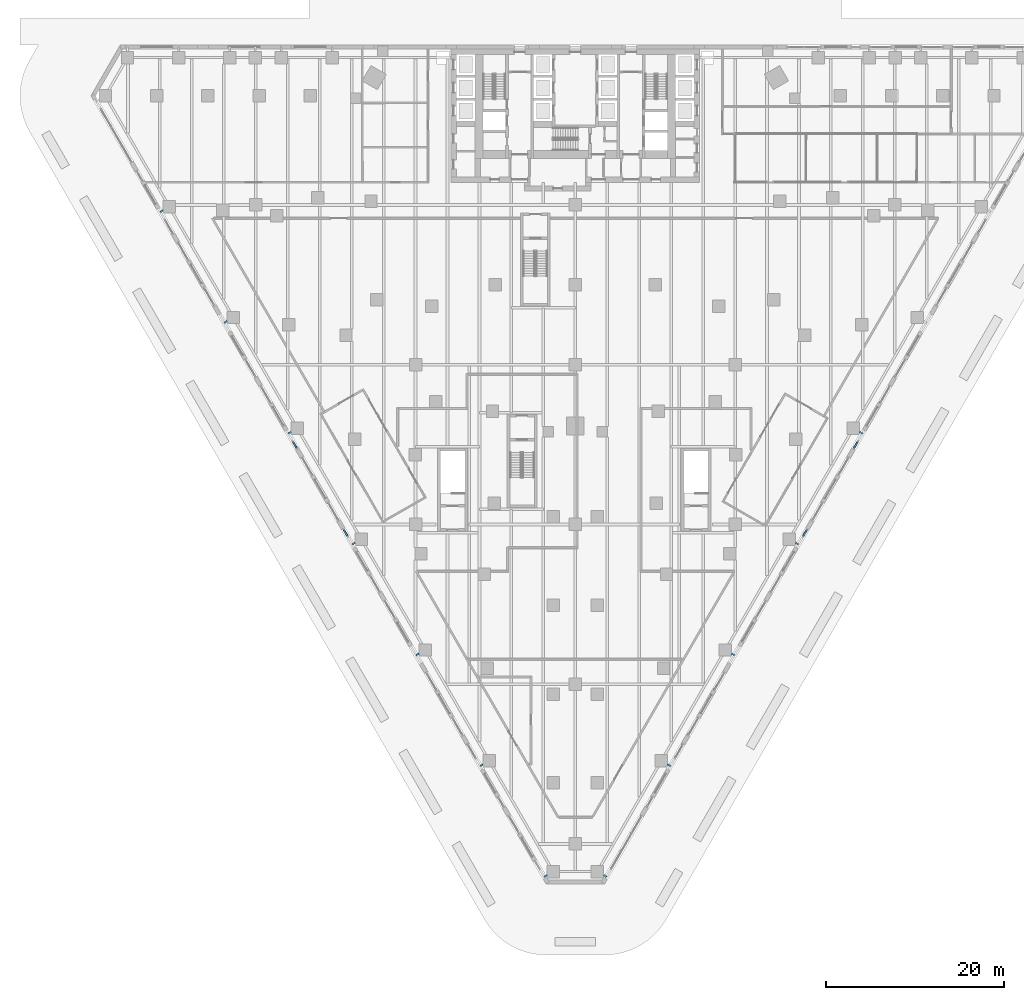
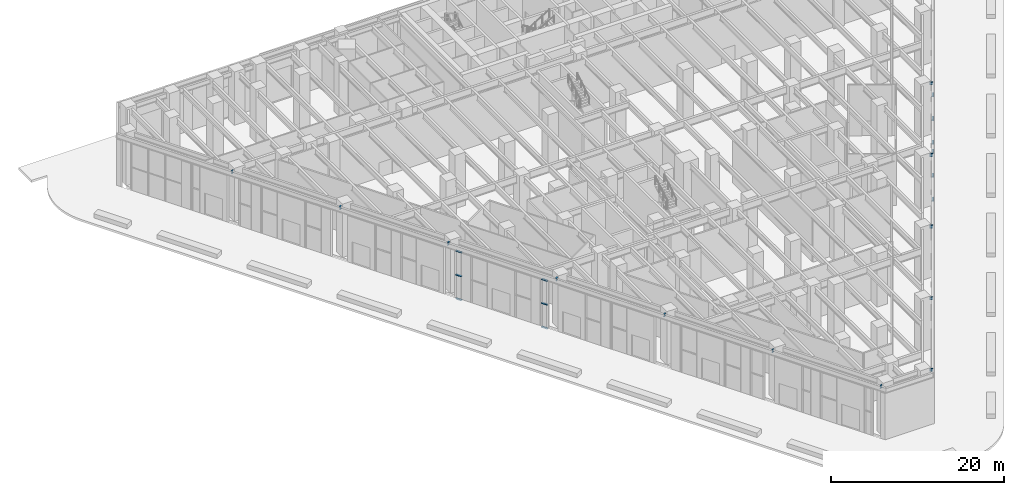
# One storey, part 17 of 37: 12 beams, 12 members, 4 elements without a shape of their own.
"""IFC4 building model written with IfcOpenShell, lengths in metres."""

from ifc_helpers import new_model, si_unit, direction, frame, origin, origin_2d, place, context, subcontext, project, spatial, rectangle, i_section, extrude, material, material_profile, profile_set, type_object, element, aggregate, save


model = new_model("IFC4")

# Units and contexts
model_context = context("Model", 3, precision=1e-05, world=origin(), true_north=direction((0.0, 1.0)))
body_context = subcontext(model_context, "Body", "Model", "MODEL_VIEW")
ifc_project = project(units=[si_unit("LENGTHUNIT", "METRE"), si_unit("AREAUNIT", "SQUARE_METRE"), si_unit("VOLUMEUNIT", "CUBIC_METRE"), si_unit("PLANEANGLEUNIT", "RADIAN"), si_unit("MASSUNIT", "GRAM", prefix="KILO")], contexts=[model_context])

# Site, building, storey
site_placement = place(None, origin())
site = spatial("IfcSite", under=ifc_project, at=site_placement, CompositionType="ELEMENT")
building_placement = place(site_placement, origin())
building = spatial("IfcBuilding", under=site, at=building_placement, Name="Aloe Facet Convention Tower", CompositionType="ELEMENT")
storey_placement = place(building_placement, origin())
storey = spatial("IfcBuildingStorey", under=building, at=storey_placement, Name="L00", CompositionType="ELEMENT", Elevation=0.0)

# Beams
ifc_material_1 = material(Name="Steel S355", Category="steel")
ifc_material_profile_1 = material_profile(ifc_material_1, i_section(OverallWidth=0.177734375, OverallDepth=0.402587890625, WebThickness=0.0078125, FlangeThickness=0.010986328125, FilletRadius=0.01025390625, at=origin_2d()), Name="UB 406x178x54")
ifc_profile_set_1 = profile_set([ifc_material_profile_1], Name="Steel S355")
beam_type = type_object("IfcBeamType", Name="EV-BR-UB406x178x54", PredefinedType="BEAM", material=ifc_profile_set_1)
beam_1_placement = place(storey_placement, frame((33.55810546875, 116.39501953125, 6.998779296875), z_axis=(-0.865820295338, -0.500355090092, 0.0), x_axis=(0.500355090092, -0.865820295338, 0.0)))
element("IfcBeam", 1, at=beam_1_placement, inside=storey, type_object=beam_type, Name="EB-L01-W-BR02", PredefinedType="BEAM", context=body_context, shape_type="SweptSolid", body=[
    extrude(i_section(OverallWidth=0.177734375, OverallDepth=0.402587890625, WebThickness=0.0078125, FlangeThickness=0.010986328125, FilletRadius=0.01025390625, at=origin_2d()), origin(), (0.0, 0.0, 1.0), 0.367431640625),
])
beam_2_placement = place(storey_placement, frame((40.76611328125, 103.908935546875, 6.998779296875), z_axis=(-0.866063652425, -0.499933745558, 0.0), x_axis=(0.499933745558, -0.866063652425, 0.0)))
element("IfcBeam", 2, at=beam_2_placement, inside=storey, type_object=beam_type, Name="EB-L01-W-BR03", PredefinedType="BEAM", context=body_context, shape_type="SweptSolid", body=[
    extrude(i_section(OverallWidth=0.177734375, OverallDepth=0.402587890625, WebThickness=0.0078125, FlangeThickness=0.010986328125, FilletRadius=0.01025390625, at=origin_2d()), origin(), (0.0, 0.0, 1.0), 0.36669921875),
])
beam_3_placement = place(storey_placement, frame((47.97412109375, 91.423828125, 6.998779296875), z_axis=(-0.866185586049, -0.49972245349, 0.0), x_axis=(0.49972245349, -0.866185586049, 0.0)))
element("IfcBeam", 3, at=beam_3_placement, inside=storey, type_object=beam_type, Name="EB-L01-W-BR04", PredefinedType="BEAM", context=body_context, shape_type="SweptSolid", body=[
    extrude(i_section(OverallWidth=0.177734375, OverallDepth=0.402587890625, WebThickness=0.0078125, FlangeThickness=0.010986328125, FilletRadius=0.01025390625, at=origin_2d()), origin(), (0.0, 0.0, 1.0), 0.366455078125),
])
beam_4_placement = place(storey_placement, frame((55.18310546875, 78.93896484375, 6.998779296875), z_axis=(-0.865941888956, -0.500144624036, 0.0), x_axis=(0.500144624036, -0.865941888956, 0.0)))
element("IfcBeam", 4, at=beam_4_placement, inside=storey, type_object=beam_type, Name="EB-L01-W-BR05", PredefinedType="BEAM", context=body_context, shape_type="SweptSolid", body=[
    extrude(i_section(OverallWidth=0.177734375, OverallDepth=0.402587890625, WebThickness=0.0078125, FlangeThickness=0.010986328125, FilletRadius=0.01025390625, at=origin_2d()), origin(), (0.0, 0.0, 1.0), 0.3671875),
])
beam_5_placement = place(storey_placement, frame((62.39111328125, 66.452880859375, 6.998779296875), z_axis=(-0.866185586049, -0.49972245349, 0.0), x_axis=(0.49972245349, -0.866185586049, 0.0)))
element("IfcBeam", 5, at=beam_5_placement, inside=storey, type_object=beam_type, Name="EB-L01-W-BR06", PredefinedType="BEAM", context=body_context, shape_type="SweptSolid", body=[
    extrude(i_section(OverallWidth=0.177734375, OverallDepth=0.402587890625, WebThickness=0.0078125, FlangeThickness=0.010986328125, FilletRadius=0.01025390625, at=origin_2d()), origin(), (0.0, 0.0, 1.0), 0.366455078125),
])
beam_6_placement = place(storey_placement, frame((69.60009765625, 53.968017578125, 6.998779296875), z_axis=(-0.865941888956, -0.500144624036, 0.0), x_axis=(0.500144624036, -0.865941888956, 0.0)))
element("IfcBeam", 6, at=beam_6_placement, inside=storey, type_object=beam_type, Name="EB-L01-W-BR07", PredefinedType="BEAM", context=body_context, shape_type="SweptSolid", body=[
    extrude(i_section(OverallWidth=0.177734375, OverallDepth=0.402587890625, WebThickness=0.0078125, FlangeThickness=0.010986328125, FilletRadius=0.01025390625, at=origin_2d()), origin(), (0.0, 0.0, 1.0), 0.3671875),
])
beam_7_placement = place(storey_placement, frame((76.80810546875, 41.48193359375, 6.998779296875), z_axis=(-0.865897129857, -0.500222111171, 0.0), x_axis=(0.500222111171, -0.865897129857, 0.0)))
element("IfcBeam", 7, at=beam_7_placement, inside=storey, type_object=beam_type, Name="EB-L01-W-BR08", PredefinedType="BEAM", context=body_context, shape_type="SweptSolid", body=[
    extrude(i_section(OverallWidth=0.177734375, OverallDepth=0.402587890625, WebThickness=0.0078125, FlangeThickness=0.010986328125, FilletRadius=0.01025390625, at=origin_2d()), origin(), (0.0, 0.0, 1.0), 0.366455078125),
])
beam_8_placement = place(storey_placement, frame((104.81689453125, 78.93896484375, 6.998779296875), z_axis=(0.865941888956, -0.500144624036, 0.0), x_axis=(0.500144624036, 0.865941888956, 0.0)))
element("IfcBeam", 8, at=beam_8_placement, inside=storey, type_object=beam_type, Name="EB-L01-E-BR01", PredefinedType="BEAM", context=body_context, shape_type="SweptSolid", body=[
    extrude(i_section(OverallWidth=0.177734375, OverallDepth=0.402587890625, WebThickness=0.0078125, FlangeThickness=0.010986328125, FilletRadius=0.01025390625, at=origin_2d()), origin(), (0.0, 0.0, 1.0), 0.3671875),
])
for number, where, z_axis, x_axis, name in (
    (9, (112.02587890625, 91.423828125, 6.998779296875), (0.866185586049, -0.49972245349, 0.0), (0.49972245349, 0.866185586049, 0.0), "EB-L01-E-BR02"),
    (10, (83.19189453125, 41.48193359375, 6.998779296875), (0.865897129857, -0.500222111171, 0.0), (0.500222111171, 0.865897129857, 0.0), "EB-L01-E-BR06"),
):
    element("IfcBeam", number, at=place(storey_placement, frame(where, z_axis=z_axis, x_axis=x_axis)), inside=storey, type_object=beam_type, Name=name, PredefinedType="BEAM", context=body_context, shape_type="SweptSolid", body=[
        extrude(i_section(OverallWidth=0.177734375, OverallDepth=0.402587890625, WebThickness=0.0078125, FlangeThickness=0.010986328125, FilletRadius=0.01025390625, at=origin_2d()), origin(), (0.0, 0.0, 1.0), 0.366455078125),
    ])
beam_9_placement = place(storey_placement, frame((90.39990234375, 53.968017578125, 6.998779296875), z_axis=(0.865941888956, -0.500144624036, 0.0), x_axis=(0.500144624036, 0.865941888956, 0.0)))
element("IfcBeam", 11, at=beam_9_placement, inside=storey, type_object=beam_type, Name="EB-L01-E-BR07", PredefinedType="BEAM", context=body_context, shape_type="SweptSolid", body=[
    extrude(i_section(OverallWidth=0.177734375, OverallDepth=0.402587890625, WebThickness=0.0078125, FlangeThickness=0.010986328125, FilletRadius=0.01025390625, at=origin_2d()), origin(), (0.0, 0.0, 1.0), 0.3671875),
])
beam_10_placement = place(storey_placement, frame((97.60888671875, 66.452880859375, 6.998779296875), z_axis=(0.866185586049, -0.49972245349, 0.0), x_axis=(0.49972245349, 0.866185586049, 0.0)))
element("IfcBeam", 12, at=beam_10_placement, inside=storey, type_object=beam_type, Name="EB-L01-E-BR08", PredefinedType="BEAM", context=body_context, shape_type="SweptSolid", body=[
    extrude(i_section(OverallWidth=0.177734375, OverallDepth=0.402587890625, WebThickness=0.0078125, FlangeThickness=0.010986328125, FilletRadius=0.01025390625, at=origin_2d()), origin(), (0.0, 0.0, 1.0), 0.366455078125),
])

# Curtain wall, members
ifc_material_2 = material(Name="Aluminium, anodised", Category="aluminium")
curtain_wall_type = type_object("IfcCurtainWallType", Name="EV-CW-PORTAL", PredefinedType="USERDEFINED", material=ifc_material_2)
curtain_wall_1_placement = place(storey_placement, origin())
curtain_wall_1 = element("IfcCurtainWall", 13, at=curtain_wall_1_placement, inside=storey, type_object=curtain_wall_type, Name="CW-L00-W10B", ObjectType="ENTRANCE PORTAL GLAZING", PredefinedType="USERDEFINED")
ifc_material_3 = material(Name="Aluminium, anodised", Category="aluminium")
ifc_material_profile_2 = material_profile(ifc_material_3, rectangle(XDim=0.199951171875, YDim=0.080078125, at=origin_2d()), Name="AL 200x80")
ifc_profile_set_2 = profile_set([ifc_material_profile_2], Name="Aluminium, anodised")
member_type = type_object("IfcMemberType", Name="EV-TRAN-PORTAL", PredefinedType="USERDEFINED", material=ifc_profile_set_2)
member_1_placement = place(storey_placement, frame((48.208984375, 90.2841796875, -0.260009765625), z_axis=(0.500128417272, -0.865951249342, 0.0), x_axis=(0.865951249342, 0.500128417272, 0.0)))
member_1 = element("IfcMember", 14, at=member_1_placement, type_object=member_type, Name="CW-L00-W10B transom 1.1", ObjectType="TRANSOM", PredefinedType="USERDEFINED", context=body_context, shape_type="SweptSolid", body=[
    extrude(rectangle(XDim=0.199951171875, YDim=0.080078125, at=origin_2d()), origin(), (0.0, 0.0, 1.0), 0.763427734375),
])
member_2_placement = place(storey_placement, frame((48.208984375, 90.2841796875, 3.106201171875), z_axis=(0.500128417272, -0.865951249342, 0.0), x_axis=(0.865951249342, 0.500128417272, 0.0)))
member_2 = element("IfcMember", 15, at=member_2_placement, type_object=member_type, Name="CW-L00-W10B transom 1.2", ObjectType="TRANSOM", PredefinedType="USERDEFINED", context=body_context, shape_type="SweptSolid", body=[
    extrude(rectangle(XDim=0.199951171875, YDim=0.080078125, at=origin_2d()), origin(), (0.0, 0.0, 1.0), 0.763427734375),
])
member_3_placement = place(storey_placement, frame((48.208984375, 90.2841796875, 6.472412109375), z_axis=(0.500128417272, -0.865951249342, 0.0), x_axis=(0.865951249342, 0.500128417272, 0.0)))
member_3 = element("IfcMember", 16, at=member_3_placement, type_object=member_type, Name="CW-L00-W10B transom 1.3", ObjectType="TRANSOM", PredefinedType="USERDEFINED", context=body_context, shape_type="SweptSolid", body=[
    extrude(rectangle(XDim=0.199951171875, YDim=0.080078125, at=origin_2d()), origin(), (0.0, 0.0, 1.0), 0.763427734375),
])
aggregate(curtain_wall_1, [member_1, member_2, member_3])

curtain_wall_2_placement = place(storey_placement, origin())
curtain_wall_2 = element("IfcCurtainWall", 17, at=curtain_wall_2_placement, inside=storey, type_object=curtain_wall_type, Name="CW-L00-W14A", ObjectType="ENTRANCE PORTAL GLAZING", PredefinedType="USERDEFINED")
member_4_placement = place(storey_placement, frame((53.931396484375, 80.37255859375, -0.260009765625), z_axis=(0.500165633897, -0.865929753888, 0.0), x_axis=(0.865929753888, 0.500165633897, 0.0)))
member_4 = element("IfcMember", 18, at=member_4_placement, type_object=member_type, Name="CW-L00-W14A transom 1.1", ObjectType="TRANSOM", PredefinedType="USERDEFINED", context=body_context, shape_type="SweptSolid", body=[
    extrude(rectangle(XDim=0.199951171875, YDim=0.080078125, at=origin_2d()), origin(), (0.0, 0.0, 1.0), 0.762939453125),
])
member_5_placement = place(storey_placement, frame((53.931396484375, 80.37255859375, 3.106201171875), z_axis=(0.500165633897, -0.865929753888, 0.0), x_axis=(0.865929753888, 0.500165633897, 0.0)))
member_5 = element("IfcMember", 19, at=member_5_placement, type_object=member_type, Name="CW-L00-W14A transom 1.2", ObjectType="TRANSOM", PredefinedType="USERDEFINED", context=body_context, shape_type="SweptSolid", body=[
    extrude(rectangle(XDim=0.199951171875, YDim=0.080078125, at=origin_2d()), origin(), (0.0, 0.0, 1.0), 0.762939453125),
])
member_6_placement = place(storey_placement, frame((53.931396484375, 80.37255859375, 6.472412109375), z_axis=(0.500165633897, -0.865929753888, 0.0), x_axis=(0.865929753888, 0.500165633897, 0.0)))
member_6 = element("IfcMember", 20, at=member_6_placement, type_object=member_type, Name="CW-L00-W14A transom 1.3", ObjectType="TRANSOM", PredefinedType="USERDEFINED", context=body_context, shape_type="SweptSolid", body=[
    extrude(rectangle(XDim=0.199951171875, YDim=0.080078125, at=origin_2d()), origin(), (0.0, 0.0, 1.0), 0.762939453125),
])
aggregate(curtain_wall_2, [member_4, member_5, member_6])

curtain_wall_3_placement = place(storey_placement, origin())
curtain_wall_3 = element("IfcCurtainWall", 21, at=curtain_wall_3_placement, inside=storey, type_object=curtain_wall_type, Name="CW-L00-E10B", ObjectType="ENTRANCE PORTAL GLAZING", PredefinedType="USERDEFINED")
member_7_placement = place(storey_placement, frame((105.68701171875, 79.7119140625, -0.260009765625), z_axis=(0.500165633897, 0.865929753888, 0.0), x_axis=(-0.865929753888, 0.500165633897, 0.0)))
member_7 = element("IfcMember", 22, at=member_7_placement, type_object=member_type, Name="CW-L00-E10B transom 1.1", ObjectType="TRANSOM", PredefinedType="USERDEFINED", context=body_context, shape_type="SweptSolid", body=[
    extrude(rectangle(XDim=0.199951171875, YDim=0.080078125, at=origin_2d()), origin(), (0.0, 0.0, 1.0), 0.762939453125),
])
member_8_placement = place(storey_placement, frame((105.68701171875, 79.7119140625, 3.106201171875), z_axis=(0.500165633897, 0.865929753888, 0.0), x_axis=(-0.865929753888, 0.500165633897, 0.0)))
member_8 = element("IfcMember", 23, at=member_8_placement, type_object=member_type, Name="CW-L00-E10B transom 1.2", ObjectType="TRANSOM", PredefinedType="USERDEFINED", context=body_context, shape_type="SweptSolid", body=[
    extrude(rectangle(XDim=0.199951171875, YDim=0.080078125, at=origin_2d()), origin(), (0.0, 0.0, 1.0), 0.762939453125),
])
member_9_placement = place(storey_placement, frame((105.68701171875, 79.7119140625, 6.472412109375), z_axis=(0.500165633897, 0.865929753888, 0.0), x_axis=(-0.865929753888, 0.500165633897, 0.0)))
member_9 = element("IfcMember", 24, at=member_9_placement, type_object=member_type, Name="CW-L00-E10B transom 1.3", ObjectType="TRANSOM", PredefinedType="USERDEFINED", context=body_context, shape_type="SweptSolid", body=[
    extrude(rectangle(XDim=0.199951171875, YDim=0.080078125, at=origin_2d()), origin(), (0.0, 0.0, 1.0), 0.762939453125),
])
aggregate(curtain_wall_3, [member_7, member_8, member_9])

curtain_wall_4_placement = place(storey_placement, origin())
curtain_wall_4 = element("IfcCurtainWall", 25, at=curtain_wall_4_placement, inside=storey, type_object=curtain_wall_type, Name="CW-L00-E14A", ObjectType="ENTRANCE PORTAL GLAZING", PredefinedType="USERDEFINED")
member_10_placement = place(storey_placement, frame((111.4091796875, 89.623046875, -0.260009765625), z_axis=(0.500128417272, 0.865951249342, 0.0), x_axis=(-0.865951249342, 0.500128417272, 0.0)))
member_10 = element("IfcMember", 26, at=member_10_placement, type_object=member_type, Name="CW-L00-E14A transom 1.1", ObjectType="TRANSOM", PredefinedType="USERDEFINED", context=body_context, shape_type="SweptSolid", body=[
    extrude(rectangle(XDim=0.199951171875, YDim=0.080078125, at=origin_2d()), origin(), (0.0, 0.0, 1.0), 0.763427734375),
])
member_11_placement = place(storey_placement, frame((111.4091796875, 89.623046875, 3.106201171875), z_axis=(0.500128417272, 0.865951249342, 0.0), x_axis=(-0.865951249342, 0.500128417272, 0.0)))
member_11 = element("IfcMember", 27, at=member_11_placement, type_object=member_type, Name="CW-L00-E14A transom 1.2", ObjectType="TRANSOM", PredefinedType="USERDEFINED", context=body_context, shape_type="SweptSolid", body=[
    extrude(rectangle(XDim=0.199951171875, YDim=0.080078125, at=origin_2d()), origin(), (0.0, 0.0, 1.0), 0.763427734375),
])
member_12_placement = place(storey_placement, frame((111.4091796875, 89.623046875, 6.472412109375), z_axis=(0.500128417272, 0.865951249342, 0.0), x_axis=(-0.865951249342, 0.500128417272, 0.0)))
member_12 = element("IfcMember", 28, at=member_12_placement, type_object=member_type, Name="CW-L00-E14A transom 1.3", ObjectType="TRANSOM", PredefinedType="USERDEFINED", context=body_context, shape_type="SweptSolid", body=[
    extrude(rectangle(XDim=0.199951171875, YDim=0.080078125, at=origin_2d()), origin(), (0.0, 0.0, 1.0), 0.763427734375),
])
aggregate(curtain_wall_4, [member_10, member_11, member_12])

save(model, "model.ifc")
